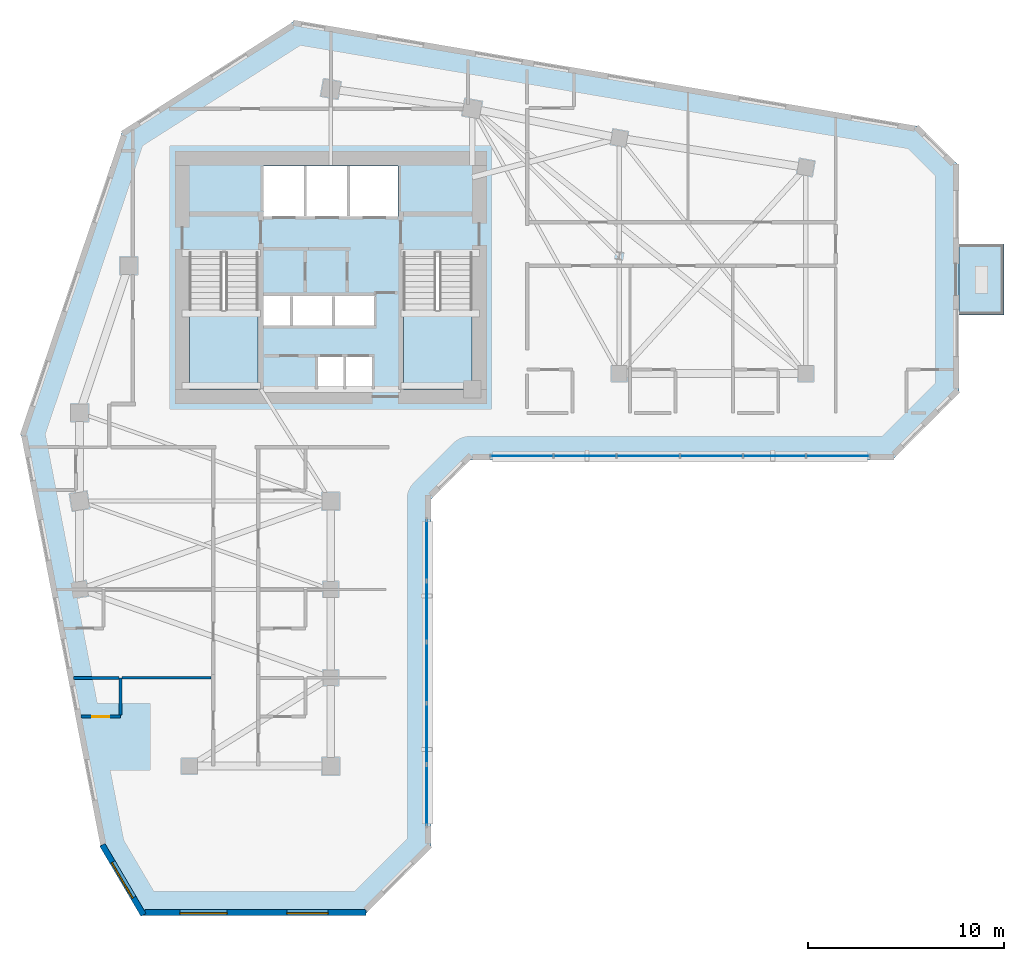
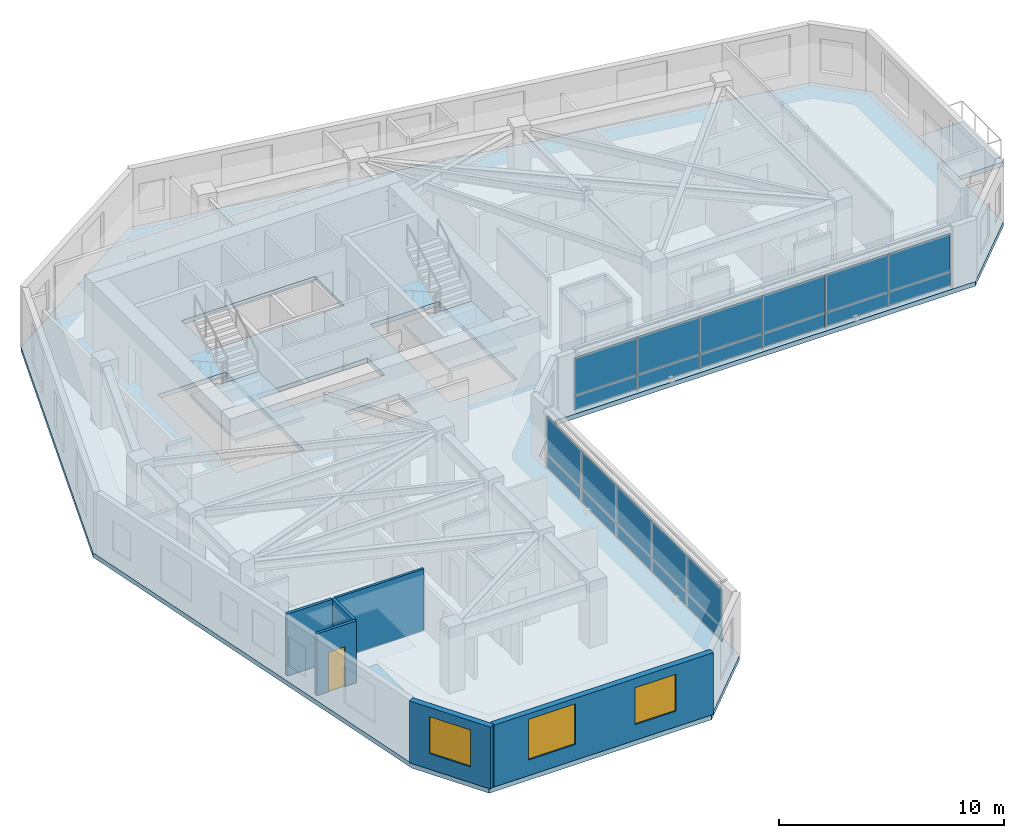
# One storey, part 4 of 14: 22 plates, 6 walls, 4 slabs, 3 windows, 1 door, 4 openings, 4 elements without a shape of their own.
"""IFC4 building model written with IfcOpenShell, lengths in metres."""

from ifc_helpers import new_model, si_unit, direction, frame, frame_2d, origin, place, context, subcontext, project, spatial, polyline, rectangle, outline, extrude, source, transform, mapped, material, layer, layer_set, type_object, element, fill, aggregate, save


model = new_model("IFC4")

# Units and contexts
model_context = context("Model", 3, precision=1e-05, world=origin(), true_north=direction((0.0, 1.0)))
body_context = subcontext(model_context, "Body", "Model", "MODEL_VIEW")
ifc_project = project(units=[si_unit("LENGTHUNIT", "METRE"), si_unit("AREAUNIT", "SQUARE_METRE"), si_unit("VOLUMEUNIT", "CUBIC_METRE"), si_unit("PLANEANGLEUNIT", "RADIAN"), si_unit("MASSUNIT", "GRAM", prefix="KILO")], contexts=[model_context])

# Site, building, storey
site_placement = place(None, origin())
site = spatial("IfcSite", under=ifc_project, at=site_placement, CompositionType="ELEMENT")
building_placement = place(site_placement, origin())
building = spatial("IfcBuilding", under=site, at=building_placement, Name="Calvemar Wedge Station Tower", CompositionType="ELEMENT")
storey_placement = place(building_placement, frame((0.0, 0.0, 125.0)))
storey = spatial("IfcBuildingStorey", under=building, at=storey_placement, Name="L30", CompositionType="ELEMENT", Elevation=125.0)

# Curtain wall, plates
ifc_material_1 = material(Name="Anodised aluminium 6063-T6", Category="aluminium")
curtain_wall_type = type_object("IfcCurtainWallType", Name="CW2", PredefinedType="NOTDEFINED", material=ifc_material_1)
curtain_wall_1_placement = place(storey_placement, origin())
curtain_wall_1 = element("IfcCurtainWall", 1, at=curtain_wall_1_placement, inside=storey, type_object=curtain_wall_type, Name="Storey L30 CW2 Recessed Unitised Curtain Wall 4", PredefinedType="NOTDEFINED")
ifc_material_2 = material(Name="Low-E laminated insulated glass", Category="glass")
ifc_layer_1 = layer(ifc_material_2, 0.028076171875)
ifc_layer_set_1 = layer_set([ifc_layer_1], Name="Low-E laminated insulated glass")
plate_type_1 = type_object("IfcPlateType", Name="CW2-GLZ", PredefinedType="CURTAIN_PANEL", material=ifc_layer_set_1)
plate_1_placement = place(storey_placement, frame((28.68603515625, 11.97998046875, 0.8701171875), z_axis=(0.0, 0.0, 1.0), x_axis=(0.0, 1.0, 0.0)))
plate_1 = element("IfcPlate", 2, at=plate_1_placement, type_object=plate_type_1, Name="CW2 vision glass panel 1", PredefinedType="CURTAIN_PANEL", context=body_context, shape_type="SweptSolid", body=[
    extrude(rectangle(XDim=3.08251953125, YDim=0.028076171875, at=frame_2d((1.541259765625, 0.0))), origin(), (0.0, 0.0, 1.0), 2.009765625),
])
plate_2_placement = place(storey_placement, frame((28.68603515625, 15.098388671875, 0.8701171875), z_axis=(0.0, 0.0, 1.0), x_axis=(0.0, 1.0, 0.0)))
plate_2 = element("IfcPlate", 3, at=plate_2_placement, type_object=plate_type_1, Name="CW2 vision glass panel 2", PredefinedType="CURTAIN_PANEL", context=body_context, shape_type="SweptSolid", body=[
    extrude(rectangle(XDim=3.08251953125, YDim=0.028076171875, at=frame_2d((1.541259765625, 0.0))), origin(), (0.0, 0.0, 1.0), 2.009765625),
])
plate_3_placement = place(storey_placement, frame((28.68603515625, 18.216796875, 0.8701171875), z_axis=(0.0, 0.0, 1.0), x_axis=(0.0, 1.0, 0.0)))
plate_3 = element("IfcPlate", 4, at=plate_3_placement, type_object=plate_type_1, Name="CW2 vision glass panel 3", PredefinedType="CURTAIN_PANEL", context=body_context, shape_type="SweptSolid", body=[
    extrude(rectangle(XDim=3.08251953125, YDim=0.028076171875, at=frame_2d((1.541259765625, 0.0))), origin(), (0.0, 0.0, 1.0), 2.009765625),
])
plate_4_placement = place(storey_placement, frame((28.68603515625, 21.335205078125, 0.8701171875), z_axis=(0.0, 0.0, 1.0), x_axis=(0.0, 1.0, 0.0)))
plate_4 = element("IfcPlate", 5, at=plate_4_placement, type_object=plate_type_1, Name="CW2 vision glass panel 4", PredefinedType="CURTAIN_PANEL", context=body_context, shape_type="SweptSolid", body=[
    extrude(rectangle(XDim=3.08251953125, YDim=0.028076171875, at=frame_2d((1.541259765625, 0.0))), origin(), (0.0, 0.0, 1.0), 2.009765625),
])
plate_5_placement = place(storey_placement, frame((28.68603515625, 24.45361328125, 0.8701171875), z_axis=(0.0, 0.0, 1.0), x_axis=(0.0, 1.0, 0.0)))
plate_5 = element("IfcPlate", 6, at=plate_5_placement, type_object=plate_type_1, Name="CW2 vision glass panel 5", PredefinedType="CURTAIN_PANEL", context=body_context, shape_type="SweptSolid", body=[
    extrude(rectangle(XDim=3.08251953125, YDim=0.028076171875, at=frame_2d((1.541259765625, 0.0))), origin(), (0.0, 0.0, 1.0), 2.009765625),
])

curtain_wall_2_placement = place(storey_placement, origin())
curtain_wall_2 = element("IfcCurtainWall", 7, at=curtain_wall_2_placement, inside=storey, type_object=curtain_wall_type, Name="Storey L30 CW2 Recessed Unitised Curtain Wall 6", PredefinedType="NOTDEFINED")
plate_6_placement = place(storey_placement, frame((31.951904296875, 30.802001953125, 0.8701171875), z_axis=(0.0, 0.0, 1.0), x_axis=(1.0, 0.0, 0.0)))
plate_6 = element("IfcPlate", 8, at=plate_6_placement, type_object=plate_type_1, Name="CW2 vision glass panel 1", PredefinedType="CURTAIN_PANEL", context=body_context, shape_type="SweptSolid", body=[
    extrude(rectangle(XDim=3.181396484375, YDim=0.028076171875, at=frame_2d((1.5908203125, 0.0))), origin(), (0.0, 0.0, 1.0), 2.009765625),
])
plate_7_placement = place(storey_placement, frame((35.169189453125, 30.802001953125, 0.8701171875), z_axis=(0.0, 0.0, 1.0), x_axis=(1.0, 0.0, 0.0)))
plate_7 = element("IfcPlate", 9, at=plate_7_placement, type_object=plate_type_1, Name="CW2 vision glass panel 2", PredefinedType="CURTAIN_PANEL", context=body_context, shape_type="SweptSolid", body=[
    extrude(rectangle(XDim=3.181396484375, YDim=0.028076171875, at=frame_2d((1.5908203125, 0.0))), origin(), (0.0, 0.0, 1.0), 2.009765625),
])
plate_8_placement = place(storey_placement, frame((38.38671875, 30.802001953125, 0.8701171875), z_axis=(0.0, 0.0, 1.0), x_axis=(1.0, 0.0, 0.0)))
plate_8 = element("IfcPlate", 10, at=plate_8_placement, type_object=plate_type_1, Name="CW2 vision glass panel 3", PredefinedType="CURTAIN_PANEL", context=body_context, shape_type="SweptSolid", body=[
    extrude(rectangle(XDim=3.18115234375, YDim=0.028076171875, at=frame_2d((1.590576171875, 0.0))), origin(), (0.0, 0.0, 1.0), 2.009765625),
])
plate_9_placement = place(storey_placement, frame((41.60400390625, 30.802001953125, 0.8701171875), z_axis=(0.0, 0.0, 1.0), x_axis=(1.0, 0.0, 0.0)))
plate_9 = element("IfcPlate", 11, at=plate_9_placement, type_object=plate_type_1, Name="CW2 vision glass panel 4", PredefinedType="CURTAIN_PANEL", context=body_context, shape_type="SweptSolid", body=[
    extrude(rectangle(XDim=3.18115234375, YDim=0.028076171875, at=frame_2d((1.590576171875, 0.0))), origin(), (0.0, 0.0, 1.0), 2.009765625),
])
plate_10_placement = place(storey_placement, frame((44.8212890625, 30.802001953125, 0.8701171875), z_axis=(0.0, 0.0, 1.0), x_axis=(1.0, 0.0, 0.0)))
plate_10 = element("IfcPlate", 12, at=plate_10_placement, type_object=plate_type_1, Name="CW2 vision glass panel 5", PredefinedType="CURTAIN_PANEL", context=body_context, shape_type="SweptSolid", body=[
    extrude(rectangle(XDim=3.181396484375, YDim=0.028076171875, at=frame_2d((1.5908203125, 0.0))), origin(), (0.0, 0.0, 1.0), 2.009765625),
])
plate_11_placement = place(storey_placement, frame((48.03857421875, 30.802001953125, 0.8701171875), z_axis=(0.0, 0.0, 1.0), x_axis=(1.0, 0.0, 0.0)))
plate_11 = element("IfcPlate", 13, at=plate_11_placement, type_object=plate_type_1, Name="CW2 vision glass panel 6", PredefinedType="CURTAIN_PANEL", context=body_context, shape_type="SweptSolid", body=[
    extrude(rectangle(XDim=3.181396484375, YDim=0.028076171875, at=frame_2d((1.5908203125, 0.0))), origin(), (0.0, 0.0, 1.0), 2.009765625),
])

# Plate
ifc_material_3 = material(Name="Oxidized bronze aluminium spandrel panel 5005-H24", Category="aluminium")
ifc_layer_2 = layer(ifc_material_3, 0.0400390625)
ifc_layer_set_2 = layer_set([ifc_layer_2], Name="Oxidized bronze aluminium spandrel panel 5005-H24")
plate_type_2 = type_object("IfcPlateType", Name="CW2-SPD", PredefinedType="SHEET", material=ifc_layer_set_2)
plate_12_placement = place(storey_placement, frame((28.68603515625, 11.97998046875, 0.080078125), z_axis=(0.0, 0.0, 1.0), x_axis=(0.0, 1.0, 0.0)))
plate_12 = element("IfcPlate", 14, at=plate_12_placement, type_object=plate_type_2, Name="CW2 bronze spandrel panel 1", PredefinedType="SHEET", context=body_context, shape_type="SweptSolid", body=[
    extrude(rectangle(XDim=3.08251953125, YDim=0.0400390625, at=frame_2d((1.541259765625, 0.0))), origin(), (0.0, 0.0, 1.0), 0.75),
])

plate_13_placement = place(storey_placement, frame((28.68603515625, 15.098388671875, 0.080078125), z_axis=(0.0, 0.0, 1.0), x_axis=(0.0, 1.0, 0.0)))
plate_13 = element("IfcPlate", 15, at=plate_13_placement, type_object=plate_type_2, Name="CW2 bronze spandrel panel 2", PredefinedType="SHEET", context=body_context, shape_type="SweptSolid", body=[
    extrude(rectangle(XDim=3.08251953125, YDim=0.0400390625, at=frame_2d((1.541259765625, 0.0))), origin(), (0.0, 0.0, 1.0), 0.75),
])

plate_14_placement = place(storey_placement, frame((28.68603515625, 18.216796875, 0.080078125), z_axis=(0.0, 0.0, 1.0), x_axis=(0.0, 1.0, 0.0)))
plate_14 = element("IfcPlate", 16, at=plate_14_placement, type_object=plate_type_2, Name="CW2 bronze spandrel panel 3", PredefinedType="SHEET", context=body_context, shape_type="SweptSolid", body=[
    extrude(rectangle(XDim=3.08251953125, YDim=0.0400390625, at=frame_2d((1.541259765625, 0.0))), origin(), (0.0, 0.0, 1.0), 0.75),
])

plate_15_placement = place(storey_placement, frame((28.68603515625, 21.335205078125, 0.080078125), z_axis=(0.0, 0.0, 1.0), x_axis=(0.0, 1.0, 0.0)))
plate_15 = element("IfcPlate", 17, at=plate_15_placement, type_object=plate_type_2, Name="CW2 bronze spandrel panel 4", PredefinedType="SHEET", context=body_context, shape_type="SweptSolid", body=[
    extrude(rectangle(XDim=3.08251953125, YDim=0.0400390625, at=frame_2d((1.541259765625, 0.0))), origin(), (0.0, 0.0, 1.0), 0.75),
])

plate_16_placement = place(storey_placement, frame((28.68603515625, 24.45361328125, 0.080078125), z_axis=(0.0, 0.0, 1.0), x_axis=(0.0, 1.0, 0.0)))
plate_16 = element("IfcPlate", 18, at=plate_16_placement, type_object=plate_type_2, Name="CW2 bronze spandrel panel 5", PredefinedType="SHEET", context=body_context, shape_type="SweptSolid", body=[
    extrude(rectangle(XDim=3.08251953125, YDim=0.0400390625, at=frame_2d((1.541259765625, 0.0))), origin(), (0.0, 0.0, 1.0), 0.75),
])

aggregate(curtain_wall_1, [plate_12, plate_1, plate_13, plate_2, plate_14, plate_3, plate_15, plate_4, plate_16, plate_5])

plate_17_placement = place(storey_placement, frame((31.951904296875, 30.802001953125, 0.080078125), z_axis=(0.0, 0.0, 1.0), x_axis=(1.0, 0.0, 0.0)))
plate_17 = element("IfcPlate", 19, at=plate_17_placement, type_object=plate_type_2, Name="CW2 bronze spandrel panel 1", PredefinedType="SHEET", context=body_context, shape_type="SweptSolid", body=[
    extrude(rectangle(XDim=3.181396484375, YDim=0.0400390625, at=frame_2d((1.5908203125, 0.0))), origin(), (0.0, 0.0, 1.0), 0.75),
])

plate_18_placement = place(storey_placement, frame((35.169189453125, 30.802001953125, 0.080078125), z_axis=(0.0, 0.0, 1.0), x_axis=(1.0, 0.0, 0.0)))
plate_18 = element("IfcPlate", 20, at=plate_18_placement, type_object=plate_type_2, Name="CW2 bronze spandrel panel 2", PredefinedType="SHEET", context=body_context, shape_type="SweptSolid", body=[
    extrude(rectangle(XDim=3.181396484375, YDim=0.0400390625, at=frame_2d((1.5908203125, 0.0))), origin(), (0.0, 0.0, 1.0), 0.75),
])

plate_19_placement = place(storey_placement, frame((38.38671875, 30.802001953125, 0.080078125), z_axis=(0.0, 0.0, 1.0), x_axis=(1.0, 0.0, 0.0)))
plate_19 = element("IfcPlate", 21, at=plate_19_placement, type_object=plate_type_2, Name="CW2 bronze spandrel panel 3", PredefinedType="SHEET", context=body_context, shape_type="SweptSolid", body=[
    extrude(rectangle(XDim=3.18115234375, YDim=0.0400390625, at=frame_2d((1.590576171875, 0.0))), origin(), (0.0, 0.0, 1.0), 0.75),
])

plate_20_placement = place(storey_placement, frame((41.60400390625, 30.802001953125, 0.080078125), z_axis=(0.0, 0.0, 1.0), x_axis=(1.0, 0.0, 0.0)))
plate_20 = element("IfcPlate", 22, at=plate_20_placement, type_object=plate_type_2, Name="CW2 bronze spandrel panel 4", PredefinedType="SHEET", context=body_context, shape_type="SweptSolid", body=[
    extrude(rectangle(XDim=3.18115234375, YDim=0.0400390625, at=frame_2d((1.590576171875, 0.0))), origin(), (0.0, 0.0, 1.0), 0.75),
])

plate_21_placement = place(storey_placement, frame((44.8212890625, 30.802001953125, 0.080078125), z_axis=(0.0, 0.0, 1.0), x_axis=(1.0, 0.0, 0.0)))
plate_21 = element("IfcPlate", 23, at=plate_21_placement, type_object=plate_type_2, Name="CW2 bronze spandrel panel 5", PredefinedType="SHEET", context=body_context, shape_type="SweptSolid", body=[
    extrude(rectangle(XDim=3.181396484375, YDim=0.0400390625, at=frame_2d((1.5908203125, 0.0))), origin(), (0.0, 0.0, 1.0), 0.75),
])

plate_22_placement = place(storey_placement, frame((48.03857421875, 30.802001953125, 0.080078125), z_axis=(0.0, 0.0, 1.0), x_axis=(1.0, 0.0, 0.0)))
plate_22 = element("IfcPlate", 24, at=plate_22_placement, type_object=plate_type_2, Name="CW2 bronze spandrel panel 6", PredefinedType="SHEET", context=body_context, shape_type="SweptSolid", body=[
    extrude(rectangle(XDim=3.181396484375, YDim=0.0400390625, at=frame_2d((1.5908203125, 0.0))), origin(), (0.0, 0.0, 1.0), 0.75),
])

aggregate(curtain_wall_2, [plate_17, plate_6, plate_18, plate_7, plate_19, plate_8, plate_20, plate_9, plate_21, plate_10, plate_22, plate_11])

# Stair, slab
ifc_material_4 = material(Name="Concrete C45", Category="concrete")
stair_type = type_object("IfcStairType", Name="ST-TYPE-3600", PredefinedType="HALF_TURN_STAIR", material=ifc_material_4)
stair_1_placement = place(storey_placement, origin())
stair_1 = element("IfcStair", 25, at=stair_1_placement, inside=storey, type_object=stair_type, Name="L30 Pressurized Core Exit Stair ST-C1", PredefinedType="HALF_TURN_STAIR")
ifc_layer_3 = layer(ifc_material_4, 0.199951171875)
ifc_layer_set_3 = layer_set([ifc_layer_3], Name="Concrete C45")
slab_type_1 = type_object("IfcSlabType", Name="SL-STAIR-LND-200", PredefinedType="LANDING", material=ifc_layer_set_3)
slab_1_placement = place(storey_placement, frame((0.0, 0.0, 1.60009765625)))
slab_1 = element("IfcSlab", 26, at=slab_1_placement, type_object=slab_type_1, Name="ST-C1 landing 1", PredefinedType="LANDING", context=body_context, shape_type="SweptSolid", body=[
    extrude(outline(polyline([(16.60009765625, 38.25), (16.60009765625, 34.199951171875), (20.10009765625, 34.199951171875), (20.10009765625, 38.25), (16.60009765625, 38.25)])), origin(), (0.0, 0.0, 1.0), 0.199951171875),
])
aggregate(stair_1, [slab_1])

stair_2_placement = place(storey_placement, origin())
stair_2 = element("IfcStair", 27, at=stair_2_placement, inside=storey, type_object=stair_type, Name="L30 Pressurized Core Exit Stair ST-C2", PredefinedType="HALF_TURN_STAIR")
slab_2_placement = place(storey_placement, frame((0.0, 0.0, 1.60009765625)))
slab_2 = element("IfcSlab", 28, at=slab_2_placement, type_object=slab_type_1, Name="ST-C2 landing 1", PredefinedType="LANDING", context=body_context, shape_type="SweptSolid", body=[
    extrude(outline(polyline([(27.5, 38.25), (27.5, 34.199951171875), (31.0, 34.199951171875), (31.0, 38.25), (27.5, 38.25)])), origin(), (0.0, 0.0, 1.0), 0.199951171875),
])
aggregate(stair_2, [slab_2])

# Slabs
ifc_layer_4 = layer(ifc_material_4, 0.239990234375)
ifc_layer_set_4 = layer_set([ifc_layer_4], Name="Concrete C45")
slab_type_2 = type_object("IfcSlabType", Name="SL-TERR-240", PredefinedType="FLOOR", material=ifc_layer_set_4)
slab_3_placement = place(storey_placement, frame((0.0, 0.0, -0.239990234375)))
element("IfcSlab", 29, at=slab_3_placement, inside=storey, type_object=slab_type_2, Name="Storey L30 Planted Spiral Terrace Slab", PredefinedType="FLOOR", context=body_context, shape_type="SweptSolid", body=[
    extrude(outline(polyline([(55.800048828125, 37.991943359375), (58.10009765625, 37.991943359375), (58.10009765625, 41.592041015625), (55.800048828125, 41.592041015625), (55.800048828125, 37.991943359375)])), origin(), (0.0, 0.0, 1.0), 0.239990234375),
])
ifc_material_5 = material(Name="Concrete C50", Category="concrete")
ifc_layer_5 = layer(ifc_material_5, 0.25)
ifc_layer_set_5 = layer_set([ifc_layer_5], Name="Concrete C50")
slab_type_3 = type_object("IfcSlabType", Name="SL-TYP-250", PredefinedType="FLOOR", material=ifc_layer_set_5)
slab_4_placement = place(storey_placement, frame((0.0, 0.0, -0.25)))
element("IfcSlab", 30, at=slab_4_placement, inside=storey, type_object=slab_type_3, Name="Storey L30 Structural Floor Slab", PredefinedType="FLOOR", context=body_context, shape_type="SweptSolid", body=[
    extrude(outline(polyline([(8.0, 32.0), (12.095947265625, 10.800048828125), (14.095947265625, 7.39990234375), (25.49609375, 7.39990234375), (28.89599609375, 10.800048828125), (28.89599609375, 28.592041015625), (30.89599609375, 30.592041015625), (52.39990234375, 30.592041015625), (55.800048828125, 33.991943359375), (55.800048828125, 45.592041015625), (53.800048828125, 47.592041015625), (22.0, 53.0), (13.199951171875, 47.39990234375), (8.0, 32.0)]), holes=[polyline([(24.52001953125, 35.85009765625), (24.510009765625, 35.85009765625), (23.1201171875, 35.85009765625), (23.1201171875, 34.219970703125), (24.510009765625, 34.219970703125), (24.52001953125, 34.219970703125), (25.909912109375, 34.219970703125), (25.909912109375, 35.85009765625), (24.52001953125, 35.85009765625)]), polyline([(16.60009765625, 34.199951171875), (20.10009765625, 34.199951171875), (20.10009765625, 41.14990234375), (16.60009765625, 41.14990234375), (16.60009765625, 34.199951171875)]), polyline([(27.5, 34.199951171875), (31.0, 34.199951171875), (31.0, 41.14990234375), (27.5, 41.14990234375), (27.5, 34.199951171875)]), polyline([(21.800048828125, 38.949951171875), (21.7900390625, 38.949951171875), (20.3798828125, 38.949951171875), (20.3798828125, 37.449951171875), (21.7900390625, 37.449951171875), (21.800048828125, 37.449951171875), (23.929931640625, 37.449951171875), (23.93994140625, 37.449951171875), (26.080078125, 37.449951171875), (26.080078125, 38.949951171875), (23.93994140625, 38.949951171875), (23.929931640625, 38.949951171875), (21.800048828125, 38.949951171875)]), polyline([(27.219970703125, 43.0), (27.219970703125, 45.580078125), (20.3798828125, 45.580078125), (20.3798828125, 43.0), (27.219970703125, 43.0)])]), origin(), (0.0, 0.0, 1.0), 0.25),
])

# Wall, opening, window
ifc_material_6 = material(Name="Precast concrete C45", Category="concrete")
ifc_layer_6 = layer(ifc_material_6, 0.300048828125)
ifc_layer_set_6 = layer_set([ifc_layer_6], Name="Precast concrete C45")
wall_type_1 = type_object("IfcWallType", Name="W-EXT-GFRC-300", PredefinedType="SOLIDWALL", material=ifc_layer_set_6)
wall_1_placement = place(storey_placement, frame((12.162353515625, 10.983154296875, 0.0), z_axis=(0.0, 0.0, 1.0), x_axis=(0.506996893234, -0.861947881401, 0.0)))
wall_1 = element("IfcWall", 31, at=wall_1_placement, inside=storey, type_object=wall_type_1, Name="Storey L30 Bronze GFRC Exterior Wall 1", PredefinedType="SOLIDWALL", context=body_context, shape_type="SweptSolid", body=[
    extrude(rectangle(XDim=4.133056640625, YDim=0.300048828125, at=frame_2d((2.06640625, 0.0))), origin(), (0.0, 0.0, 1.0), 3.35009765625),
])
shared_shape_1 = source(origin(), body_context, "Body", "SweptSolid", [
    extrude(rectangle(XDim=2.10009765625, YDim=2.0, at=frame_2d((1.050048828125, 1.0))), frame((0.0, 0.16015625, 0.0), z_axis=(0.0, -1.0, 0.0), x_axis=(1.0, 0.0, 0.0)), (0.0, 0.0, 1.0), 0.320068359375),
])
opening_1_placement = place(wall_1_placement, frame((1.01708984375, 0.0, 0.85009765625)))
opening_1 = element("IfcOpeningElement", 32, at=opening_1_placement, cuts=wall_1, Name="Opening W4", PredefinedType="OPENING", context=body_context, shape_type="MappedRepresentation", body=[
    mapped(shared_shape_1, transform((0.0, 0.0, 0.0), scale=1.0)),
])
window_type_1 = type_object("IfcWindowType", Name="WIN-EXT-4", PartitioningType="SINGLE_PANEL", PredefinedType="WINDOW", material=ifc_material_2)
shared_shape_2 = source(origin(), body_context, "Body", "SweptSolid", [
    extrude(rectangle(XDim=2.10009765625, YDim=2.0, at=frame_2d((1.050048828125, 1.0))), frame((0.0, -0.014892578125, 0.0), z_axis=(0.0, -1.0, 0.0), x_axis=(1.0, 0.0, 0.0)), (0.0, 0.0, 1.0), 0.06005859375),
])
window_1_placement = place(opening_1_placement, origin())
window_1 = element("IfcWindow", 33, at=window_1_placement, inside=storey, type_object=window_type_1, Name="Storey L30 Recessed Window 1.1", OverallHeight=2.0, OverallWidth=2.10009765625, PartitioningType="SINGLE_PANEL", PredefinedType="WINDOW", context=body_context, shape_type="MappedRepresentation", body=[
    mapped(shared_shape_2, transform((0.0, 0.0, 0.0), scale=1.0)),
])
fill(opening_1, window_1)

# Wall, openings, windows
wall_2_placement = place(storey_placement, frame((14.341796875, 7.550048828125, 0.0), z_axis=(0.0, 0.0, 1.0), x_axis=(1.0, 0.0, 0.0)))
wall_2 = element("IfcWall", 34, at=wall_2_placement, inside=storey, type_object=wall_type_1, Name="Storey L30 Bronze GFRC Exterior Wall 2", PredefinedType="SOLIDWALL", context=body_context, shape_type="SweptSolid", body=[
    extrude(rectangle(XDim=11.2421875, YDim=0.300048828125, at=frame_2d((5.62109375, 0.0))), origin(), (0.0, 0.0, 1.0), 3.35009765625),
])
shared_shape_3 = source(origin(), body_context, "Body", "SweptSolid", [
    extrude(rectangle(XDim=2.39990234375, YDim=2.199951171875, at=frame_2d((1.199951171875, 1.10009765625))), frame((0.0, 0.16015625, 0.0), z_axis=(0.0, -1.0, 0.0), x_axis=(1.0, 0.0, 0.0)), (0.0, 0.0, 1.0), 0.320068359375),
])
opening_2_placement = place(wall_2_placement, frame((1.77099609375, 0.0, 0.85009765625)))
opening_2 = element("IfcOpeningElement", 35, at=opening_2_placement, cuts=wall_2, Name="Opening W1", PredefinedType="OPENING", context=body_context, shape_type="MappedRepresentation", body=[
    mapped(shared_shape_3, transform((0.0, 0.0, 0.0), scale=1.0)),
])
opening_3_placement = place(wall_2_placement, frame((7.221923828125, 0.0, 0.85009765625)))
opening_3 = element("IfcOpeningElement", 36, at=opening_3_placement, cuts=wall_2, Name="Opening W4", PredefinedType="OPENING", context=body_context, shape_type="MappedRepresentation", body=[
    mapped(shared_shape_1, transform((0.0, 0.0, 0.0), scale=1.0)),
])
window_2_placement = place(opening_3_placement, origin())
window_2 = element("IfcWindow", 37, at=window_2_placement, inside=storey, type_object=window_type_1, Name="Storey L30 Recessed Window 2.2", OverallHeight=2.0, OverallWidth=2.10009765625, PartitioningType="SINGLE_PANEL", PredefinedType="WINDOW", context=body_context, shape_type="MappedRepresentation", body=[
    mapped(shared_shape_2, transform((0.0, 0.0, 0.0), scale=1.0)),
])
fill(opening_3, window_2)
window_type_2 = type_object("IfcWindowType", Name="WIN-EXT-1", PartitioningType="SINGLE_PANEL", PredefinedType="WINDOW", material=ifc_material_2)
shared_shape_4 = source(origin(), body_context, "Body", "SweptSolid", [
    extrude(rectangle(XDim=2.39990234375, YDim=2.199951171875, at=frame_2d((1.199951171875, 1.10009765625))), frame((0.0, -0.014892578125, 0.0), z_axis=(0.0, -1.0, 0.0), x_axis=(1.0, 0.0, 0.0)), (0.0, 0.0, 1.0), 0.06005859375),
])
window_3_placement = place(opening_2_placement, origin())
window_3 = element("IfcWindow", 38, at=window_3_placement, inside=storey, type_object=window_type_2, Name="Storey L30 Recessed Window 2.1", OverallHeight=2.199951171875, OverallWidth=2.39990234375, PartitioningType="SINGLE_PANEL", PredefinedType="WINDOW", context=body_context, shape_type="MappedRepresentation", body=[
    mapped(shared_shape_4, transform((0.0, 0.0, 0.0), scale=1.0)),
])
fill(opening_2, window_3)

# Wall
ifc_material_7 = material(Name="Insulated acoustic gypsum stud partition")
ifc_layer_7 = layer(ifc_material_7, 0.125)
ifc_layer_set_7 = layer_set([ifc_layer_7], Name="Insulated acoustic gypsum stud partition")
wall_type_2 = type_object("IfcWallType", Name="W-PART-125", PredefinedType="PARTITIONING", material=ifc_layer_set_7)
wall_3_placement = place(storey_placement, frame((13.1640625, 19.5, 0.0), z_axis=(0.0, 0.0, 1.0), x_axis=(1.0, 0.0, 0.0)))
element("IfcWall", 39, at=wall_3_placement, inside=storey, type_object=wall_type_2, Name="Storey L30 Interior Partition WL-L30-057", PredefinedType="PARTITIONING", context=body_context, shape_type="SweptSolid", body=[
    extrude(rectangle(XDim=4.5419921875, YDim=0.125, at=frame_2d((2.27099609375, 0.0))), origin(), (0.0, 0.0, 1.0), 3.35009765625),
])

# Wall, opening, door
ifc_material_8 = material(Name="Moisture-resistant acoustic bathroom partition")
ifc_layer_8 = layer(ifc_material_8, 0.14990234375)
ifc_layer_set_8 = layer_set([ifc_layer_8], Name="Moisture-resistant acoustic bathroom partition")
wall_type_3 = type_object("IfcWallType", Name="W-WET-150", PredefinedType="PARTITIONING", material=ifc_layer_set_8)
wall_4_placement = place(storey_placement, frame((13.0849609375, 17.52001953125, 0.0), z_axis=(0.0, 0.0, 1.0), x_axis=(-1.0, 0.0, 0.0)))
wall_4 = element("IfcWall", 40, at=wall_4_placement, inside=storey, type_object=wall_type_3, Name="Storey L30 Interior Partition WL-L30-054", PredefinedType="PARTITIONING", context=body_context, shape_type="SweptSolid", body=[
    extrude(rectangle(XDim=2.017578125, YDim=0.14990234375, at=frame_2d((1.0087890625, 0.0))), origin(), (0.0, 0.0, 1.0), 3.35009765625),
])
shared_shape_5 = source(origin(), body_context, "Body", "SweptSolid", [
    extrude(rectangle(XDim=0.85009765625, YDim=2.14990234375, at=frame_2d((0.425048828125, 1.074951171875))), frame((0.0, 0.0849609375, 0.0), z_axis=(0.0, -1.0, 0.0), x_axis=(1.0, 0.0, 0.0)), (0.0, 0.0, 1.0), 0.169921875),
])
opening_4_placement = place(wall_4_placement, frame((0.583740234375, 0.0, 0.0)))
opening_4 = element("IfcOpeningElement", 41, at=opening_4_placement, cuts=wall_4, Name="Opening D-02", PredefinedType="OPENING", context=body_context, shape_type="MappedRepresentation", body=[
    mapped(shared_shape_5, transform((0.0, 0.0, 0.0), scale=1.0)),
])
ifc_material_9 = material(Name="Moisture-sealed bathroom hardwood swing door", Category="wood")
door_type = type_object("IfcDoorType", Name="DR-WET-850", OperationType="NOTDEFINED", PredefinedType="DOOR", material=ifc_material_9)
shared_shape_6 = source(origin(), body_context, "Body", "SweptSolid", [
    extrude(rectangle(XDim=0.85009765625, YDim=2.14990234375, at=frame_2d((0.425048828125, 1.074951171875))), frame((0.0, 0.02490234375, 0.0), z_axis=(0.0, -1.0, 0.0), x_axis=(1.0, 0.0, 0.0)), (0.0, 0.0, 1.0), 0.050048828125),
])
door_placement = place(opening_4_placement, origin())
door = element("IfcDoor", 42, at=door_placement, inside=storey, type_object=door_type, Name="L30 En-Suite Bathroom Door", OperationType="SINGLE_SWING_RIGHT", OverallHeight=2.14990234375, OverallWidth=0.85009765625, PredefinedType="DOOR", context=body_context, shape_type="MappedRepresentation", body=[
    mapped(shared_shape_6, transform((0.0, 0.0, 0.0), scale=1.0)),
])
fill(opening_4, door)

# Walls
wall_5_placement = place(storey_placement, frame((13.0849609375, 19.5, 0.0), z_axis=(0.0, 0.0, 1.0), x_axis=(0.0, -1.0, 0.0)))
element("IfcWall", 43, at=wall_5_placement, inside=storey, type_object=wall_type_3, Name="Storey L30 Interior Partition WL-L30-055", PredefinedType="PARTITIONING", context=body_context, shape_type="SweptSolid", body=[
    extrude(rectangle(XDim=1.90087890625, YDim=0.14990234375, at=frame_2d((0.950439453125, 0.0))), origin(), (0.0, 0.0, 1.0), 3.35009765625),
])
wall_6_placement = place(storey_placement, frame((10.68505859375, 19.5, 0.0), z_axis=(0.0, 0.0, 1.0), x_axis=(1.0, 0.0, 0.0)))
element("IfcWall", 44, at=wall_6_placement, inside=storey, type_object=wall_type_3, Name="Storey L30 Interior Partition WL-L30-056", PredefinedType="PARTITIONING", context=body_context, shape_type="SweptSolid", body=[
    extrude(rectangle(XDim=2.321044921875, YDim=0.14990234375, at=frame_2d((1.16064453125, 0.0))), origin(), (0.0, 0.0, 1.0), 3.35009765625),
])

save(model, "model.ifc")
